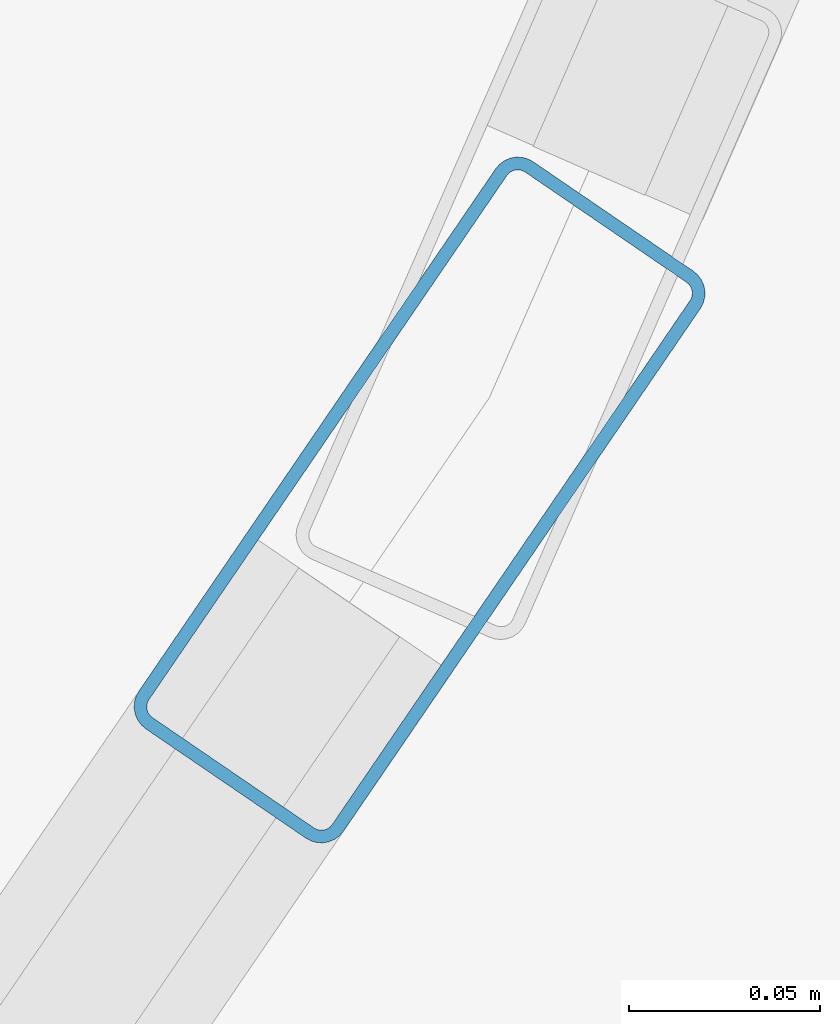
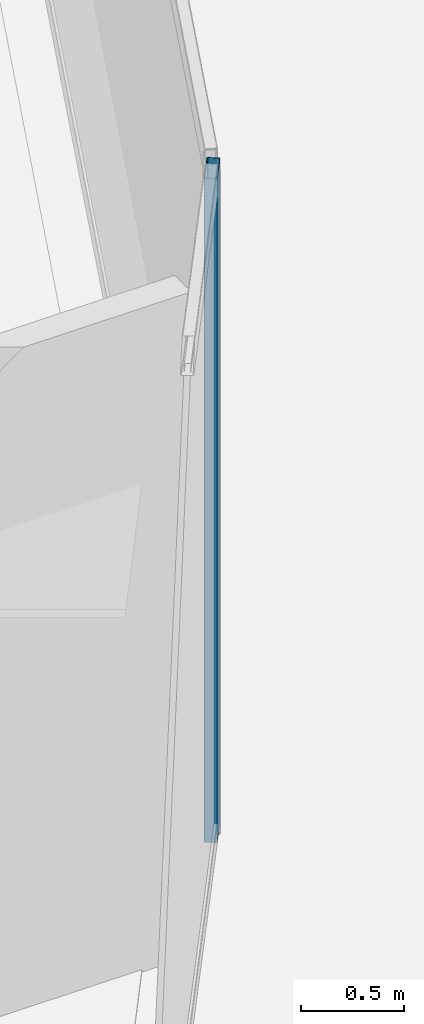
# One storey, part 12 of 45: 1 member, 1 element without a shape of its own.
"""IFC4 building model written with IfcOpenShell, lengths in metres."""

from ifc_helpers import new_model, si_unit, direction, frame, origin, origin_2d, place, context, subcontext, project, spatial, hollow_rectangle, extrude, material, layer, layer_set, material_profile, profile_set, type_object, element, aggregate, save


model = new_model("IFC4")

# Units and contexts
model_context = context("Model", 3, precision=1e-05, world=origin(), true_north=direction((0.0, 1.0)))
body_context = subcontext(model_context, "Body", "Model", "MODEL_VIEW")
ifc_project = project(units=[si_unit("LENGTHUNIT", "METRE"), si_unit("AREAUNIT", "SQUARE_METRE"), si_unit("VOLUMEUNIT", "CUBIC_METRE"), si_unit("PLANEANGLEUNIT", "RADIAN"), si_unit("MASSUNIT", "GRAM", prefix="KILO")], contexts=[model_context])

# Site, building, storey
site_placement = place(None, origin())
site = spatial("IfcSite", under=ifc_project, at=site_placement, CompositionType="ELEMENT")
building_placement = place(site_placement, origin())
building = spatial("IfcBuilding", under=site, at=building_placement, Name="Qorvath Tower", CompositionType="ELEMENT")
storey_placement = place(building_placement, frame((0.0, 0.0, 66.0)))
storey = spatial("IfcBuildingStorey", under=building, at=storey_placement, Name="L14", CompositionType="ELEMENT", Elevation=66.0)

# Curtain wall, member
ifc_material_1 = material(Name="Anodised aluminium and triple low-E glass", Category="aluminium")
ifc_layer = layer(ifc_material_1, 0.179931640625)
ifc_layer_set = layer_set([ifc_layer], Name="CW-SYS-2")
curtain_wall_type = type_object("IfcCurtainWallType", Name="CW-SYS-2", PredefinedType="NOTDEFINED", material=ifc_layer_set)
curtain_wall_placement = place(storey_placement, origin())
curtain_wall = element("IfcCurtainWall", 1, at=curtain_wall_placement, inside=storey, type_object=curtain_wall_type, Name="Curtain Wall CW-2 CW-T-L14-5.1", PredefinedType="NOTDEFINED")
ifc_material_2 = material(Name="Anodised aluminium 6063-T6", Category="aluminium")
ifc_material_profile = material_profile(ifc_material_2, hollow_rectangle(XDim=0.06494140625, YDim=0.179931640625, WallThickness=0.00341796875, InnerFilletRadius=0.00341796875, OuterFilletRadius=0.007080078125, at=origin_2d()), Name="CWM 180x65")
ifc_profile_set = profile_set([ifc_material_profile], Name="Anodised aluminium 6063-T6")
member_type = type_object("IfcMemberType", Name="CWM-180", PredefinedType="MULLION", material=ifc_profile_set)
member_placement = place(storey_placement, frame((1.8544921875, -19.050537109375, 0.0), z_axis=(0.0, 0.0, 1.0), x_axis=(-0.825792265854, 0.563974408689, 0.0)))
member = element("IfcMember", 2, at=member_placement, type_object=member_type, Name="CW-2 mullion 2", PredefinedType="MULLION", context=body_context, shape_type="SweptSolid", body=[
    extrude(hollow_rectangle(XDim=0.06494140625, YDim=0.179931640625, WallThickness=0.00341796875, InnerFilletRadius=0.00341796875, OuterFilletRadius=0.007080078125, at=origin_2d()), origin(), (0.0, 0.0, 1.0), 3.919921875),
])
aggregate(curtain_wall, [member])

save(model, "model.ifc")
